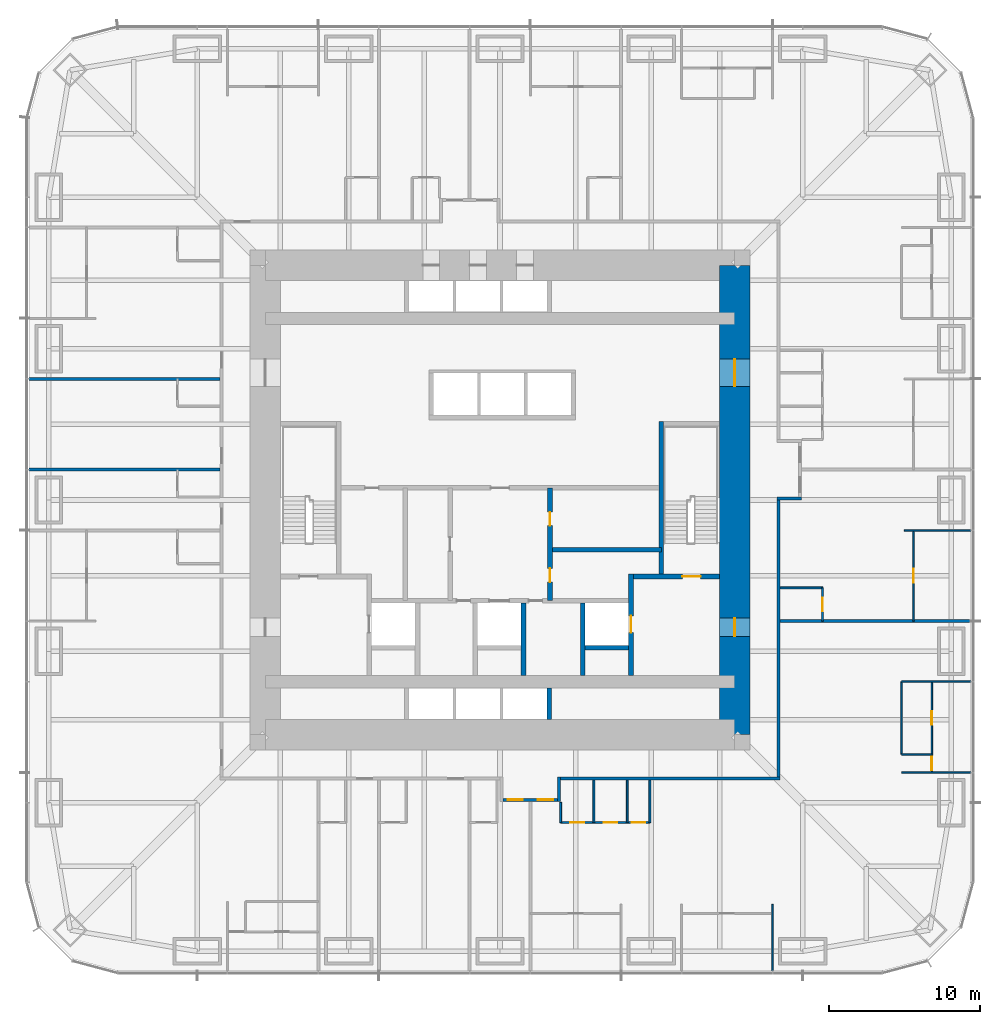
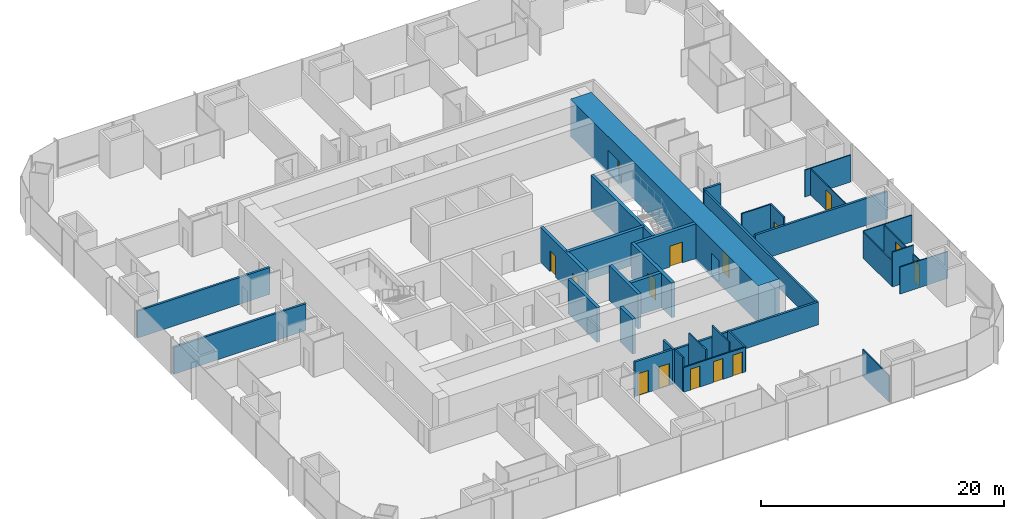
# One storey, part 13 of 16: 33 walls, 15 doors, 15 openings.
"""IFC4 building model written with IfcOpenShell, lengths in metres."""

from ifc_helpers import new_model, si_unit, direction, frame, frame_2d, origin, place, context, subcontext, project, spatial, rectangle, extrude, material, layer, layer_set, type_object, element, fill, save


model = new_model("IFC4")

# Units and contexts
model_context = context("Model", 3, precision=1e-05, world=origin(), true_north=direction((0.0, 1.0)))
body_context = subcontext(model_context, "Body", "Model", "MODEL_VIEW")
ifc_project = project(units=[si_unit("LENGTHUNIT", "METRE"), si_unit("AREAUNIT", "SQUARE_METRE"), si_unit("VOLUMEUNIT", "CUBIC_METRE"), si_unit("PLANEANGLEUNIT", "RADIAN"), si_unit("MASSUNIT", "GRAM", prefix="KILO")], contexts=[model_context])

# Site, building, storey
site_placement = place(None, origin())
site = spatial("IfcSite", under=ifc_project, at=site_placement, CompositionType="ELEMENT")
building_placement = place(site_placement, origin())
building = spatial("IfcBuilding", under=site, at=building_placement, Name="Khuree Lantern Residences", CompositionType="ELEMENT")
storey_placement = place(building_placement, frame((0.0, 0.0, 69.75)))
storey = spatial("IfcBuildingStorey", under=building, at=storey_placement, Name="L17", CompositionType="ELEMENT", Elevation=69.75)

# Wall, opening, door
ifc_material_1 = material(Name="Moisture-resistant gypsum board on steel studs", Category="steel")
ifc_layer_1 = layer(ifc_material_1, 0.125)
ifc_layer_set_1 = layer_set([ifc_layer_1], Name="BATHROOM WALL BTW125")
wall_type_1 = type_object("IfcWallType", Name="BATHROOM WALL BTW125", PredefinedType="PARTITIONING", material=ifc_layer_set_1)
wall_1_placement = place(storey_placement, frame((21.300048828125, -8.0, 0.0), z_axis=(0.0, 0.0, 1.0), x_axis=(0.0, 1.0, 0.0)))
wall_1 = element("IfcWall", 1, at=wall_1_placement, inside=storey, type_object=wall_type_1, Name="L17 BATHROOM WALL 01", PredefinedType="PARTITIONING", context=body_context, shape_type="SweptSolid", body=[
    extrude(rectangle(XDim=2.199951171875, YDim=0.125, at=frame_2d((1.10009765625, 0.0))), origin(), (0.0, 0.0, 1.0), 3.5),
])
opening_1_placement = place(wall_1_placement, frame((0.64990234375, 0.0, 0.0)))
opening_1 = element("IfcOpeningElement", 2, at=opening_1_placement, cuts=wall_1, Name="Opening 17-021", PredefinedType="OPENING", context=body_context, shape_type="SweptSolid", body=[
    extrude(rectangle(XDim=0.89990234375, YDim=2.10009765625, at=frame_2d((0.449951171875, 1.050048828125))), frame((0.0, 0.072509765625, 0.0), z_axis=(0.0, -1.0, 0.0), x_axis=(1.0, 0.0, 0.0)), (0.0, 0.0, 1.0), 0.14501953125),
])
ifc_material_2 = material(Name="Timber door leaf in hardwood frame", Category="wood")
door_type_1 = type_object("IfcDoorType", Name="BATHROOM DOOR 900X2100", OperationType="SINGLE_SWING_LEFT", PredefinedType="DOOR", material=ifc_material_2)
door_1_placement = place(opening_1_placement, origin())
door_1 = element("IfcDoor", 3, at=door_1_placement, inside=storey, type_object=door_type_1, Name="Bathroom door 17-021", OperationType="SINGLE_SWING_LEFT", OverallHeight=2.10009765625, OverallWidth=0.89990234375, PredefinedType="DOOR", context=body_context, shape_type="SweptSolid", body=[
    extrude(rectangle(XDim=0.89990234375, YDim=2.10009765625, at=frame_2d((0.449951171875, 1.050048828125))), frame((0.0, 0.02490234375, 0.0), z_axis=(0.0, -1.0, 0.0), x_axis=(1.0, 0.0, 0.0)), (0.0, 0.0, 1.0), 0.050048828125),
])
fill(opening_1, door_1)

# Wall
wall_2_placement = place(storey_placement, frame((18.5, -5.800048828125, 0.0), z_axis=(0.0, 0.0, 1.0), x_axis=(1.0, 0.0, 0.0)))
element("IfcWall", 4, at=wall_2_placement, inside=storey, type_object=wall_type_1, Name="L17 BATHROOM WALL 01", PredefinedType="PARTITIONING", context=body_context, shape_type="SweptSolid", body=[
    extrude(rectangle(XDim=2.800048828125, YDim=0.125, at=frame_2d((1.39990234375, 0.0))), origin(), (0.0, 0.0, 1.0), 3.5),
])

# Wall, openings, doors
wall_3_placement = place(storey_placement, frame((4.0, -21.300048828125, 0.0), z_axis=(0.0, 0.0, 1.0), x_axis=(1.0, 0.0, 0.0)))
wall_3 = element("IfcWall", 5, at=wall_3_placement, inside=storey, type_object=wall_type_1, Name="L17 BATHROOM WALL 13", PredefinedType="PARTITIONING", context=body_context, shape_type="SweptSolid", body=[
    extrude(rectangle(XDim=5.89990234375, YDim=0.125, at=frame_2d((2.949951171875, 0.0))), origin(), (0.0, 0.0, 1.0), 2.491943359375),
])
opening_2_placement = place(wall_3_placement, frame((0.64990234375, 0.0, 0.0)))
opening_2 = element("IfcOpeningElement", 6, at=opening_2_placement, cuts=wall_3, Name="Opening 17-062", PredefinedType="OPENING", context=body_context, shape_type="SweptSolid", body=[
    extrude(rectangle(XDim=0.89990234375, YDim=2.10009765625, at=frame_2d((0.449951171875, 1.050048828125))), frame((0.0, 0.072509765625, 0.0), z_axis=(0.0, -1.0, 0.0), x_axis=(1.0, 0.0, 0.0)), (0.0, 0.0, 1.0), 0.14501953125),
])
opening_3_placement = place(wall_3_placement, frame((2.85009765625, 0.0, 0.0)))
opening_3 = element("IfcOpeningElement", 7, at=opening_3_placement, cuts=wall_3, Name="Opening 17-063", PredefinedType="OPENING", context=body_context, shape_type="SweptSolid", body=[
    extrude(rectangle(XDim=0.89990234375, YDim=2.10009765625, at=frame_2d((0.449951171875, 1.050048828125))), frame((0.0, 0.072509765625, 0.0), z_axis=(0.0, -1.0, 0.0), x_axis=(1.0, 0.0, 0.0)), (0.0, 0.0, 1.0), 0.14501953125),
])
opening_4_placement = place(wall_3_placement, frame((4.699951171875, 0.0, 0.0)))
opening_4 = element("IfcOpeningElement", 8, at=opening_4_placement, cuts=wall_3, Name="Opening 17-064", PredefinedType="OPENING", context=body_context, shape_type="SweptSolid", body=[
    extrude(rectangle(XDim=0.89990234375, YDim=2.10009765625, at=frame_2d((0.449951171875, 1.050048828125))), frame((0.0, 0.072509765625, 0.0), z_axis=(0.0, -1.0, 0.0), x_axis=(1.0, 0.0, 0.0)), (0.0, 0.0, 1.0), 0.14501953125),
])
door_2_placement = place(opening_2_placement, origin())
door_2 = element("IfcDoor", 9, at=door_2_placement, inside=storey, type_object=door_type_1, Name="Bathroom door 17-062", OperationType="SINGLE_SWING_LEFT", OverallHeight=2.10009765625, OverallWidth=0.89990234375, PredefinedType="DOOR", context=body_context, shape_type="SweptSolid", body=[
    extrude(rectangle(XDim=0.89990234375, YDim=2.10009765625, at=frame_2d((0.449951171875, 1.050048828125))), frame((0.0, 0.02490234375, 0.0), z_axis=(0.0, -1.0, 0.0), x_axis=(1.0, 0.0, 0.0)), (0.0, 0.0, 1.0), 0.050048828125),
])
fill(opening_2, door_2)
door_3_placement = place(opening_3_placement, origin())
door_3 = element("IfcDoor", 10, at=door_3_placement, inside=storey, type_object=door_type_1, Name="Bathroom door 17-063", OperationType="SINGLE_SWING_LEFT", OverallHeight=2.10009765625, OverallWidth=0.89990234375, PredefinedType="DOOR", context=body_context, shape_type="SweptSolid", body=[
    extrude(rectangle(XDim=0.89990234375, YDim=2.10009765625, at=frame_2d((0.449951171875, 1.050048828125))), frame((0.0, 0.02490234375, 0.0), z_axis=(0.0, -1.0, 0.0), x_axis=(1.0, 0.0, 0.0)), (0.0, 0.0, 1.0), 0.050048828125),
])
fill(opening_3, door_3)
door_type_2 = type_object("IfcDoorType", Name="WC DOOR 900X2100", OperationType="SINGLE_SWING_LEFT", PredefinedType="DOOR", material=ifc_material_2)
door_4_placement = place(opening_4_placement, origin())
door_4 = element("IfcDoor", 11, at=door_4_placement, inside=storey, type_object=door_type_2, Name="WC door 17-064", OperationType="SINGLE_SWING_LEFT", OverallHeight=2.10009765625, OverallWidth=0.89990234375, PredefinedType="DOOR", context=body_context, shape_type="SweptSolid", body=[
    extrude(rectangle(XDim=0.89990234375, YDim=2.10009765625, at=frame_2d((0.449951171875, 1.050048828125))), frame((0.0, 0.02490234375, 0.0), z_axis=(0.0, -1.0, 0.0), x_axis=(1.0, 0.0, 0.0)), (0.0, 0.0, 1.0), 0.050048828125),
])
fill(opening_4, door_4)

# Walls
wall_4_placement = place(storey_placement, frame((4.0, -19.969970703125, 0.0), z_axis=(0.0, 0.0, 1.0), x_axis=(0.0, -1.0, 0.0)))
element("IfcWall", 12, at=wall_4_placement, inside=storey, type_object=wall_type_1, Name="L17 BATHROOM WALL 13", PredefinedType="PARTITIONING", context=body_context, shape_type="SweptSolid", body=[
    extrude(rectangle(XDim=1.330078125, YDim=0.125, at=frame_2d((0.6650390625, 0.0))), origin(), (0.0, 0.0, 1.0), 3.5),
])
for number, where, z_axis, x_axis, name in (
    (13, (6.199951171875, -18.5, 0.0), (0.0, 0.0, 1.0), (0.0, -1.0, 0.0), "L17 BATHROOM WALL 13"),
    (14, (8.39990234375, -18.5, 0.0), (0.0, 0.0, 1.0), (0.0, -1.0, 0.0), "L17 BATHROOM WALL 13"),
):
    element("IfcWall", number, at=place(storey_placement, frame(where, z_axis=z_axis, x_axis=x_axis)), inside=storey, type_object=wall_type_1, Name=name, PredefinedType="PARTITIONING", context=body_context, shape_type="SweptSolid", body=[
        extrude(rectangle(XDim=2.800048828125, YDim=0.125, at=frame_2d((1.39990234375, 0.0))), origin(), (0.0, 0.0, 1.0), 3.5),
    ])
wall_5_placement = place(storey_placement, frame((9.89990234375, -18.5, 0.0), z_axis=(0.0, 0.0, 1.0), x_axis=(0.0, -1.0, 0.0)))
element("IfcWall", 15, at=wall_5_placement, inside=storey, type_object=wall_type_1, Name="L17 BATHROOM WALL 13", PredefinedType="PARTITIONING", context=body_context, shape_type="SweptSolid", body=[
    extrude(rectangle(XDim=2.800048828125, YDim=0.125, at=frame_2d((1.39990234375, 0.0))), origin(), (0.0, 0.0, 1.0), 2.491943359375),
])

# Wall, opening, door
ifc_material_3 = material(Name="Dense concrete blockwork", Category="masonry")
ifc_layer_2 = layer(ifc_material_3, 0.300048828125)
ifc_layer_set_2 = layer_set([ifc_layer_2], Name="CORE PARTITION WALL CPW300 EI 120")
wall_type_2 = type_object("IfcWallType", Name="CORE PARTITION WALL CPW300 EI 120", PredefinedType="PARTITIONING", material=ifc_layer_set_2)
wall_6_placement = place(storey_placement, frame((8.64990234375, -11.60009765625, 0.0), z_axis=(0.0, 0.0, 1.0), x_axis=(0.0, 1.0, 0.0)))
wall_6 = element("IfcWall", 16, at=wall_6_placement, inside=storey, type_object=wall_type_2, Name="L17 CORE WALL FL2E", PredefinedType="PARTITIONING", context=body_context, shape_type="SweptSolid", body=[
    extrude(rectangle(XDim=6.7001953125, YDim=0.300048828125, at=frame_2d((3.35009765625, 0.0))), origin(), (0.0, 0.0, 1.0), 3.5),
])
opening_5_placement = place(wall_6_placement, frame((2.85009765625, 0.0, 0.0)))
opening_5 = element("IfcOpeningElement", 17, at=opening_5_placement, cuts=wall_6, Name="Opening 17-008", PredefinedType="OPENING", context=body_context, shape_type="SweptSolid", body=[
    extrude(rectangle(XDim=1.10009765625, YDim=2.10009765625, at=frame_2d((0.550048828125, 1.050048828125))), frame((0.0, 0.16015625, 0.0), z_axis=(0.0, -1.0, 0.0), x_axis=(1.0, 0.0, 0.0)), (0.0, 0.0, 1.0), 0.320068359375),
])
ifc_material_4 = material(Name="Stainless steel lift landing door", Category="steel")
door_type_3 = type_object("IfcDoorType", Name="LIFT LANDING DOOR 1100X2100 E 120", OperationType="DOUBLE_DOOR_SLIDING", PredefinedType="DOOR", material=ifc_material_4)
door_5_placement = place(opening_5_placement, origin())
door_5 = element("IfcDoor", 18, at=door_5_placement, inside=storey, type_object=door_type_3, Name="Landing door FL2 17-008", OperationType="DOUBLE_DOOR_SLIDING", OverallHeight=2.10009765625, OverallWidth=1.10009765625, PredefinedType="DOOR", context=body_context, shape_type="SweptSolid", body=[
    extrude(rectangle(XDim=1.10009765625, YDim=2.10009765625, at=frame_2d((0.550048828125, 1.050048828125))), frame((0.0, 0.02490234375, 0.0), z_axis=(0.0, -1.0, 0.0), x_axis=(1.0, 0.0, 0.0)), (0.0, 0.0, 1.0), 0.050048828125),
])
fill(opening_5, door_5)

# Walls
for number, where, z_axis, x_axis, name in (
    (19, (1.550048828125, -11.60009765625, 0.0), (0.0, 0.0, 1.0), (0.0, 1.0, 0.0), "L17 CORE WALL SL1E"),
    (20, (5.449951171875, -11.60009765625, 0.0), (0.0, 0.0, 1.0), (0.0, 1.0, 0.0), "L17 CORE WALL FL2W"),
):
    element("IfcWall", number, at=place(storey_placement, frame(where, z_axis=z_axis, x_axis=x_axis)), inside=storey, type_object=wall_type_2, Name=name, PredefinedType="PARTITIONING", context=body_context, shape_type="SweptSolid", body=[
        extrude(rectangle(XDim=4.800048828125, YDim=0.300048828125, at=frame_2d((2.39990234375, 0.0))), origin(), (0.0, 0.0, 1.0), 3.5),
    ])
wall_7_placement = place(storey_placement, frame((5.60009765625, -9.75, 0.0), z_axis=(0.0, 0.0, 1.0), x_axis=(1.0, 0.0, 0.0)))
element("IfcWall", 21, at=wall_7_placement, inside=storey, type_object=wall_type_2, Name="L17 CORE WALL FL2S", PredefinedType="PARTITIONING", context=body_context, shape_type="SweptSolid", body=[
    extrude(rectangle(XDim=2.89990234375, YDim=0.300048828125, at=frame_2d((1.449951171875, 0.0))), origin(), (0.0, 0.0, 1.0), 3.5),
])
wall_8_placement = place(storey_placement, frame((3.25, -14.5, 0.0), z_axis=(0.0, 0.0, 1.0), x_axis=(0.0, 1.0, 0.0)))
element("IfcWall", 22, at=wall_8_placement, inside=storey, type_object=wall_type_2, Name="L17 CORE WALL PME", PredefinedType="PARTITIONING", context=body_context, shape_type="SweptSolid", body=[
    extrude(rectangle(XDim=2.10009765625, YDim=0.300048828125, at=frame_2d((1.050048828125, 0.0))), origin(), (0.0, 0.0, 1.0), 3.5),
])

# Wall, openings, doors
wall_9_placement = place(storey_placement, frame((3.300048828125, -6.64990234375, 0.0), z_axis=(0.0, 0.0, 1.0), x_axis=(0.0, 1.0, 0.0)))
wall_9 = element("IfcWall", 23, at=wall_9_placement, inside=storey, type_object=wall_type_2, Name="L17 CORE WALL SVE", PredefinedType="PARTITIONING", context=body_context, shape_type="SweptSolid", body=[
    extrude(rectangle(XDim=7.449951171875, YDim=0.300048828125, at=frame_2d((3.72509765625, 0.0))), origin(), (0.0, 0.0, 1.0), 3.5),
])
opening_6_placement = place(wall_9_placement, frame((1.23095703125, 0.0, 0.0)))
opening_6 = element("IfcOpeningElement", 24, at=opening_6_placement, cuts=wall_9, Name="Opening 17-018", PredefinedType="OPENING", context=body_context, shape_type="SweptSolid", body=[
    extrude(rectangle(XDim=0.89990234375, YDim=2.10009765625, at=frame_2d((0.449951171875, 1.050048828125))), frame((0.0, 0.16015625, 0.0), z_axis=(0.0, -1.0, 0.0), x_axis=(1.0, 0.0, 0.0)), (0.0, 0.0, 1.0), 0.320068359375),
])
opening_7_placement = place(wall_9_placement, frame((4.9560546875, 0.0, 0.0)))
opening_7 = element("IfcOpeningElement", 25, at=opening_7_placement, cuts=wall_9, Name="Opening 17-019", PredefinedType="OPENING", context=body_context, shape_type="SweptSolid", body=[
    extrude(rectangle(XDim=0.89990234375, YDim=2.10009765625, at=frame_2d((0.449951171875, 1.050048828125))), frame((0.0, 0.16015625, 0.0), z_axis=(0.0, -1.0, 0.0), x_axis=(1.0, 0.0, 0.0)), (0.0, 0.0, 1.0), 0.320068359375),
])
door_type_4 = type_object("IfcDoorType", Name="DOOR 900X2100", OperationType="SINGLE_SWING_LEFT", PredefinedType="DOOR", material=ifc_material_2)
door_6_placement = place(opening_6_placement, origin())
door_6 = element("IfcDoor", 26, at=door_6_placement, inside=storey, type_object=door_type_4, Name="Bulky waste store door 17-018", OperationType="SINGLE_SWING_LEFT", OverallHeight=2.10009765625, OverallWidth=0.89990234375, PredefinedType="DOOR", context=body_context, shape_type="SweptSolid", body=[
    extrude(rectangle(XDim=0.89990234375, YDim=2.10009765625, at=frame_2d((0.449951171875, 1.050048828125))), frame((0.0, 0.02490234375, 0.0), z_axis=(0.0, -1.0, 0.0), x_axis=(1.0, 0.0, 0.0)), (0.0, 0.0, 1.0), 0.050048828125),
])
fill(opening_6, door_6)
door_type_5 = type_object("IfcDoorType", Name="DOOR 900X2100 RIGHT HAND", OperationType="SINGLE_SWING_RIGHT", PredefinedType="DOOR", material=ifc_material_2)
door_7_placement = place(opening_7_placement, origin())
door_7 = element("IfcDoor", 27, at=door_7_placement, inside=storey, type_object=door_type_5, Name="Residents' store door 17-019", OperationType="SINGLE_SWING_RIGHT", OverallHeight=2.10009765625, OverallWidth=0.89990234375, PredefinedType="DOOR", context=body_context, shape_type="SweptSolid", body=[
    extrude(rectangle(XDim=0.89990234375, YDim=2.10009765625, at=frame_2d((0.449951171875, 1.050048828125))), frame((0.0, 0.02490234375, 0.0), z_axis=(0.0, -1.0, 0.0), x_axis=(1.0, 0.0, 0.0)), (0.0, 0.0, 1.0), 0.050048828125),
])
fill(opening_7, door_7)

# Walls
wall_10_placement = place(storey_placement, frame((10.64990234375, -3.2880859375, 0.0), z_axis=(0.0, 0.0, 1.0), x_axis=(-1.0, 0.0, 0.0)))
element("IfcWall", 28, at=wall_10_placement, inside=storey, type_object=wall_type_2, Name="L17 CORE WALL EX", PredefinedType="PARTITIONING", context=body_context, shape_type="SweptSolid", body=[
    extrude(rectangle(XDim=7.349853515625, YDim=0.300048828125, at=frame_2d((3.6748046875, 0.0))), origin(), (0.0, 0.0, 1.0), 3.5),
])
ifc_material_5 = material(Name="Gypsum board on steel studs", Category="steel")
ifc_layer_3 = layer(ifc_material_5, 0.199951171875)
ifc_layer_set_3 = layer_set([ifc_layer_3], Name="CORRIDOR WALL CRW200 EI 60")
wall_type_3 = type_object("IfcWallType", Name="CORRIDOR WALL CRW200 EI 60", PredefinedType="PARTITIONING", material=ifc_layer_set_3)
wall_11_placement = place(storey_placement, frame((18.39990234375, -18.300048828125, 0.0), z_axis=(0.0, 0.0, 1.0), x_axis=(0.0, 1.0, 0.0)))
element("IfcWall", 29, at=wall_11_placement, inside=storey, type_object=wall_type_3, Name="L17 CORRIDOR WALL EAST 1", PredefinedType="PARTITIONING", context=body_context, shape_type="SweptSolid", body=[
    extrude(rectangle(XDim=18.300048828125, YDim=0.199951171875, at=frame_2d((9.14990234375, 0.0))), origin(), (0.0, 0.0, 1.0), 2.300048828125),
])
wall_12_placement = place(storey_placement, frame((18.300048828125, 0.10009765625, 0.0), z_axis=(0.0, 0.0, 1.0), x_axis=(1.0, 0.0, 0.0)))
element("IfcWall", 30, at=wall_12_placement, inside=storey, type_object=wall_type_3, Name="L17 CORRIDOR ALCOVE WALL EAST", PredefinedType="PARTITIONING", context=body_context, shape_type="SweptSolid", body=[
    extrude(rectangle(XDim=1.599853515625, YDim=0.199951171875, at=frame_2d((0.7998046875, 0.0))), origin(), (0.0, 0.0, 1.0), 2.491943359375),
])
wall_13_placement = place(storey_placement, frame((18.5, -18.39990234375, 0.0), z_axis=(0.0, 0.0, 1.0), x_axis=(-1.0, 0.0, 0.0)))
element("IfcWall", 31, at=wall_13_placement, inside=storey, type_object=wall_type_3, Name="L17 CORRIDOR WALL SOUTH 1", PredefinedType="PARTITIONING", context=body_context, shape_type="SweptSolid", body=[
    extrude(rectangle(XDim=14.5, YDim=0.199951171875, at=frame_2d((7.25, 0.0))), origin(), (0.0, 0.0, 1.0), 2.300048828125),
])
wall_14_placement = place(storey_placement, frame((3.89990234375, -18.300048828125, 0.0), z_axis=(0.0, 0.0, 1.0), x_axis=(0.0, -1.0, 0.0)))
element("IfcWall", 32, at=wall_14_placement, inside=storey, type_object=wall_type_3, Name="L17 CORRIDOR ALCOVE WALL SOUTH", PredefinedType="PARTITIONING", context=body_context, shape_type="SweptSolid", body=[
    extrude(rectangle(XDim=1.599853515625, YDim=0.199951171875, at=frame_2d((0.7998046875, 0.0))), origin(), (0.0, 0.0, 1.0), 3.5),
])

# Wall, openings, doors
wall_15_placement = place(storey_placement, frame((3.800048828125, -19.800048828125, 0.0), z_axis=(0.0, 0.0, 1.0), x_axis=(-1.0, 0.0, 0.0)))
wall_15 = element("IfcWall", 33, at=wall_15_placement, inside=storey, type_object=wall_type_3, Name="L17 CORRIDOR ALCOVE WALL SOUTH", PredefinedType="PARTITIONING", context=body_context, shape_type="SweptSolid", body=[
    extrude(rectangle(XDim=3.60009765625, YDim=0.199951171875, at=frame_2d((1.800048828125, 0.0))), origin(), (0.0, 0.0, 1.0), 3.5),
])
opening_8_placement = place(wall_15_placement, frame((2.300048828125, 0.0, 0.0)))
opening_8 = element("IfcOpeningElement", 34, at=opening_8_placement, cuts=wall_15, Name="Opening 17-057", PredefinedType="OPENING", context=body_context, shape_type="SweptSolid", body=[
    extrude(rectangle(XDim=1.0, YDim=2.199951171875, at=frame_2d((0.5, 1.10009765625))), frame((0.0, 0.10986328125, 0.0), z_axis=(0.0, -1.0, 0.0), x_axis=(1.0, 0.0, 0.0)), (0.0, 0.0, 1.0), 0.219970703125),
])
opening_9_placement = place(wall_15_placement, frame((0.300048828125, 0.0, 0.0)))
opening_9 = element("IfcOpeningElement", 35, at=opening_9_placement, cuts=wall_15, Name="Opening 17-065", PredefinedType="OPENING", context=body_context, shape_type="SweptSolid", body=[
    extrude(rectangle(XDim=1.0, YDim=2.199951171875, at=frame_2d((0.5, 1.10009765625))), frame((0.0, 0.10986328125, 0.0), z_axis=(0.0, -1.0, 0.0), x_axis=(1.0, 0.0, 0.0)), (0.0, 0.0, 1.0), 0.219970703125),
])
door_type_6 = type_object("IfcDoorType", Name="APARTMENT ENTRANCE DOOR 1000X2200 EI 30S", OperationType="SINGLE_SWING_LEFT", PredefinedType="DOOR", material=ifc_material_2)
door_8_placement = place(opening_8_placement, origin())
door_8 = element("IfcDoor", 36, at=door_8_placement, inside=storey, type_object=door_type_6, Name="Apartment 12 entrance door 17-057", OperationType="SINGLE_SWING_LEFT", OverallHeight=2.199951171875, OverallWidth=1.0, PredefinedType="DOOR", context=body_context, shape_type="SweptSolid", body=[
    extrude(rectangle(XDim=1.0, YDim=2.199951171875, at=frame_2d((0.5, 1.10009765625))), frame((0.0, 0.02490234375, 0.0), z_axis=(0.0, -1.0, 0.0), x_axis=(1.0, 0.0, 0.0)), (0.0, 0.0, 1.0), 0.050048828125),
])
fill(opening_8, door_8)
door_9_placement = place(opening_9_placement, origin())
door_9 = element("IfcDoor", 37, at=door_9_placement, inside=storey, type_object=door_type_6, Name="Apartment 13 entrance door 17-065", OperationType="SINGLE_SWING_LEFT", OverallHeight=2.199951171875, OverallWidth=1.0, PredefinedType="DOOR", context=body_context, shape_type="SweptSolid", body=[
    extrude(rectangle(XDim=1.0, YDim=2.199951171875, at=frame_2d((0.5, 1.10009765625))), frame((0.0, 0.02490234375, 0.0), z_axis=(0.0, -1.0, 0.0), x_axis=(1.0, 0.0, 0.0)), (0.0, 0.0, 1.0), 0.050048828125),
])
fill(opening_9, door_9)

ifc_material_6 = material(Name="Concrete C70/85", Category="concrete")
ifc_layer_4 = layer(ifc_material_6, 2.0)
ifc_layer_set_4 = layer_set([ifc_layer_4], Name="CW2000-C70 CORE WALL C70 2000")
wall_type_4 = type_object("IfcWallType", Name="CW2000-C70 CORE WALL C70 2000", PredefinedType="SHEAR", material=ifc_layer_set_4)
wall_16_placement = place(storey_placement, frame((15.5, -15.5, -0.25), z_axis=(0.0, 0.0, 1.0), x_axis=(0.0, 1.0, 0.0)))
wall_16 = element("IfcWall", 38, at=wall_16_placement, inside=storey, type_object=wall_type_4, Name="Core wall E", PredefinedType="SHEAR", context=body_context, shape_type="SweptSolid", body=[
    extrude(rectangle(XDim=31.0, YDim=2.0, at=frame_2d((15.5, 0.0))), origin(), (0.0, 0.0, 1.0), 3.75),
])
opening_10_placement = place(wall_16_placement, frame((6.5, 0.0, 0.25)))
opening_10 = element("IfcOpeningElement", 39, at=opening_10_placement, cuts=wall_16, Name="Opening 17-005", PredefinedType="OPENING", context=body_context, shape_type="SweptSolid", body=[
    extrude(rectangle(XDim=1.199951171875, YDim=2.10009765625, at=frame_2d((0.60009765625, 1.050048828125))), frame((0.0, 1.010009765625, 0.0), z_axis=(0.0, -1.0, 0.0), x_axis=(1.0, 0.0, 0.0)), (0.0, 0.0, 1.0), 2.02001953125),
])
opening_11_placement = place(wall_16_placement, frame((23.0, 0.0, 0.25)))
opening_11 = element("IfcOpeningElement", 40, at=opening_11_placement, cuts=wall_16, Name="Opening 17-006", PredefinedType="OPENING", context=body_context, shape_type="SweptSolid", body=[
    extrude(rectangle(XDim=1.800048828125, YDim=2.10009765625, at=frame_2d((0.89990234375, 1.050048828125))), frame((0.0, 1.010009765625, 0.0), z_axis=(0.0, -1.0, 0.0), x_axis=(1.0, 0.0, 0.0)), (0.0, 0.0, 1.0), 2.02001953125),
])
ifc_material_7 = material(Name="Steel door leaf in steel frame", Category="steel")
door_type_7 = type_object("IfcDoorType", Name="LOBBY DOOR 1200X2100 EI 120", OperationType="SINGLE_SWING_LEFT", PredefinedType="DOOR", material=ifc_material_7)
door_10_placement = place(opening_10_placement, origin())
door_10 = element("IfcDoor", 41, at=door_10_placement, inside=storey, type_object=door_type_7, Name="Firefighting lobby door 17-005", OperationType="SINGLE_SWING_LEFT", OverallHeight=2.10009765625, OverallWidth=1.199951171875, PredefinedType="DOOR", context=body_context, shape_type="SweptSolid", body=[
    extrude(rectangle(XDim=1.199951171875, YDim=2.10009765625, at=frame_2d((0.60009765625, 1.050048828125))), frame((0.0, 0.02490234375, 0.0), z_axis=(0.0, -1.0, 0.0), x_axis=(1.0, 0.0, 0.0)), (0.0, 0.0, 1.0), 0.050048828125),
])
fill(opening_10, door_10)
door_type_8 = type_object("IfcDoorType", Name="LOBBY DOUBLE DOOR 1800X2100 EI 60", OperationType="DOUBLE_DOOR_SINGLE_SWING", PredefinedType="DOOR", material=ifc_material_7)
door_11_placement = place(opening_11_placement, origin())
door_11 = element("IfcDoor", 42, at=door_11_placement, inside=storey, type_object=door_type_8, Name="Lift lobby door 17-006", OperationType="DOUBLE_DOOR_SINGLE_SWING", OverallHeight=2.10009765625, OverallWidth=1.800048828125, PredefinedType="DOOR", context=body_context, shape_type="SweptSolid", body=[
    extrude(rectangle(XDim=1.800048828125, YDim=2.10009765625, at=frame_2d((0.89990234375, 1.050048828125))), frame((0.0, 0.02490234375, 0.0), z_axis=(0.0, -1.0, 0.0), x_axis=(1.0, 0.0, 0.0)), (0.0, 0.0, 1.0), 0.050048828125),
])
fill(opening_11, door_11)

# Walls
ifc_layer_5 = layer(ifc_material_5, 0.199951171875)
ifc_layer_set_5 = layer_set([ifc_layer_5], Name="DEMISING WALL DMW200 EI 90")
wall_type_5 = type_object("IfcWallType", Name="DEMISING WALL DMW200 EI 90", PredefinedType="PARTITIONING", material=ifc_layer_set_5)
for number, where, z_axis, x_axis, name in (
    (43, (18.5, -8.0, 0.0), (0.0, 0.0, 1.0), (1.0, 0.0, 0.0), "L17 DEMISING WALL 01"),
    (44, (-18.5, 8.0, 0.0), (0.0, 0.0, 1.0), (-1.0, 0.0, 0.0), "L17 DEMISING WALL 07"),
    (45, (-18.5, 2.0, 0.0), (0.0, 0.0, 1.0), (-1.0, 0.0, 0.0), "L17 DEMISING WALL 08"),
):
    element("IfcWall", number, at=place(storey_placement, frame(where, z_axis=z_axis, x_axis=x_axis)), inside=storey, type_object=wall_type_5, Name=name, PredefinedType="PARTITIONING", context=body_context, shape_type="SweptSolid", body=[
        extrude(rectangle(XDim=12.60009765625, YDim=0.199951171875, at=frame_2d((6.300048828125, 0.0))), origin(), (0.0, 0.0, 1.0), 2.7099609375),
    ])
ifc_layer_6 = layer(ifc_material_5, 0.10009765625)
ifc_layer_set_6 = layer_set([ifc_layer_6], Name="PARTITION PT100")
wall_type_6 = type_object("IfcWallType", Name="PARTITION PT100", PredefinedType="PARTITIONING", material=ifc_layer_set_6)
for number, where, z_axis, x_axis, name in (
    (46, (26.699951171875, -2.0, 0.0), (0.0, 0.0, 1.0), (1.0, 0.0, 0.0), "L17 PARTITION 01"),
    (47, (18.0, -26.699951171875, 0.0), (0.0, 0.0, 1.0), (0.0, -1.0, 0.0), "L17 PARTITION 13"),
):
    element("IfcWall", number, at=place(storey_placement, frame(where, z_axis=z_axis, x_axis=x_axis)), inside=storey, type_object=wall_type_6, Name=name, PredefinedType="PARTITIONING", context=body_context, shape_type="SweptSolid", body=[
        extrude(rectangle(XDim=4.400146484375, YDim=0.10009765625, at=frame_2d((2.2001953125, 0.0))), origin(), (0.0, 0.0, 1.0), 2.7099609375),
    ])
for number, where, z_axis, x_axis, name in (
    (48, (26.5166015625, -18.0, 0.0), (0.0, 0.0, 1.0), (1.0, 0.0, 0.0), "L17 PARTITION 13"),
    (49, (26.5166015625, -12.0, 0.0), (0.0, 0.0, 1.0), (1.0, 0.0, 0.0), "L17 PARTITION 13"),
):
    element("IfcWall", number, at=place(storey_placement, frame(where, z_axis=z_axis, x_axis=x_axis)), inside=storey, type_object=wall_type_6, Name=name, PredefinedType="PARTITIONING", context=body_context, shape_type="SweptSolid", body=[
        extrude(rectangle(XDim=4.58349609375, YDim=0.10009765625, at=frame_2d((2.291748046875, 0.0))), origin(), (0.0, 0.0, 1.0), 2.7099609375),
    ])

# Wall, opening, door
wall_17_placement = place(storey_placement, frame((27.300048828125, -8.0, 0.0), z_axis=(0.0, 0.0, 1.0), x_axis=(0.0, 1.0, 0.0)))
wall_17 = element("IfcWall", 50, at=wall_17_placement, inside=storey, type_object=wall_type_6, Name="L17 PARTITION 01", PredefinedType="PARTITIONING", context=body_context, shape_type="SweptSolid", body=[
    extrude(rectangle(XDim=6.0, YDim=0.10009765625, at=frame_2d((3.0, 0.0))), origin(), (0.0, 0.0, 1.0), 2.610107421875),
])
opening_12_placement = place(wall_17_placement, frame((2.550048828125, 0.0, 0.0)))
opening_12 = element("IfcOpeningElement", 51, at=opening_12_placement, cuts=wall_17, Name="Opening 17-020", PredefinedType="OPENING", context=body_context, shape_type="SweptSolid", body=[
    extrude(rectangle(XDim=0.89990234375, YDim=2.10009765625, at=frame_2d((0.449951171875, 1.050048828125))), frame((0.0, 0.06005859375, 0.0), z_axis=(0.0, -1.0, 0.0), x_axis=(1.0, 0.0, 0.0)), (0.0, 0.0, 1.0), 0.1201171875),
])
door_type_9 = type_object("IfcDoorType", Name="BEDROOM DOOR 900X2100", OperationType="SINGLE_SWING_LEFT", PredefinedType="DOOR", material=ifc_material_2)
door_12_placement = place(opening_12_placement, origin())
door_12 = element("IfcDoor", 52, at=door_12_placement, inside=storey, type_object=door_type_9, Name="Bedroom door 17-020", OperationType="SINGLE_SWING_LEFT", OverallHeight=2.10009765625, OverallWidth=0.89990234375, PredefinedType="DOOR", context=body_context, shape_type="SweptSolid", body=[
    extrude(rectangle(XDim=0.89990234375, YDim=2.10009765625, at=frame_2d((0.449951171875, 1.050048828125))), frame((0.0, 0.02490234375, 0.0), z_axis=(0.0, -1.0, 0.0), x_axis=(1.0, 0.0, 0.0)), (0.0, 0.0, 1.0), 0.050048828125),
])
fill(opening_12, door_12)

# Wall, openings, doors
wall_18_placement = place(storey_placement, frame((28.5166015625, -18.0, 0.0), z_axis=(0.0, 0.0, 1.0), x_axis=(0.0, 1.0, 0.0)))
wall_18 = element("IfcWall", 53, at=wall_18_placement, inside=storey, type_object=wall_type_6, Name="L17 PARTITION 13", PredefinedType="PARTITIONING", context=body_context, shape_type="SweptSolid", body=[
    extrude(rectangle(XDim=6.0, YDim=0.10009765625, at=frame_2d((3.0, 0.0))), origin(), (0.0, 0.0, 1.0), 2.610107421875),
])
opening_13_placement = place(wall_18_placement, frame((0.14990234375, 0.0, 0.0)))
opening_13 = element("IfcOpeningElement", 54, at=opening_13_placement, cuts=wall_18, Name="Opening 17-060", PredefinedType="OPENING", context=body_context, shape_type="SweptSolid", body=[
    extrude(rectangle(XDim=0.89990234375, YDim=2.10009765625, at=frame_2d((0.449951171875, 1.050048828125))), frame((0.0, 0.06005859375, 0.0), z_axis=(0.0, -1.0, 0.0), x_axis=(1.0, 0.0, 0.0)), (0.0, 0.0, 1.0), 0.1201171875),
])
opening_14_placement = place(wall_18_placement, frame((3.14990234375, 0.0, 0.0)))
opening_14 = element("IfcOpeningElement", 55, at=opening_14_placement, cuts=wall_18, Name="Opening 17-061", PredefinedType="OPENING", context=body_context, shape_type="SweptSolid", body=[
    extrude(rectangle(XDim=0.89990234375, YDim=2.10009765625, at=frame_2d((0.449951171875, 1.050048828125))), frame((0.0, 0.06005859375, 0.0), z_axis=(0.0, -1.0, 0.0), x_axis=(1.0, 0.0, 0.0)), (0.0, 0.0, 1.0), 0.1201171875),
])
door_13_placement = place(opening_13_placement, origin())
door_13 = element("IfcDoor", 56, at=door_13_placement, inside=storey, type_object=door_type_9, Name="Bedroom door 17-060", OperationType="SINGLE_SWING_LEFT", OverallHeight=2.10009765625, OverallWidth=0.89990234375, PredefinedType="DOOR", context=body_context, shape_type="SweptSolid", body=[
    extrude(rectangle(XDim=0.89990234375, YDim=2.10009765625, at=frame_2d((0.449951171875, 1.050048828125))), frame((0.0, 0.02490234375, 0.0), z_axis=(0.0, -1.0, 0.0), x_axis=(1.0, 0.0, 0.0)), (0.0, 0.0, 1.0), 0.050048828125),
])
fill(opening_13, door_13)
door_14_placement = place(opening_14_placement, origin())
door_14 = element("IfcDoor", 57, at=door_14_placement, inside=storey, type_object=door_type_4, Name="Wardrobe door 17-061", OperationType="SINGLE_SWING_LEFT", OverallHeight=2.10009765625, OverallWidth=0.89990234375, PredefinedType="DOOR", context=body_context, shape_type="SweptSolid", body=[
    extrude(rectangle(XDim=0.89990234375, YDim=2.10009765625, at=frame_2d((0.449951171875, 1.050048828125))), frame((0.0, 0.02490234375, 0.0), z_axis=(0.0, -1.0, 0.0), x_axis=(1.0, 0.0, 0.0)), (0.0, 0.0, 1.0), 0.050048828125),
])
fill(opening_14, door_14)

# Walls
wall_19_placement = place(storey_placement, frame((26.5166015625, -16.800048828125, 0.0), z_axis=(0.0, 0.0, 1.0), x_axis=(1.0, 0.0, 0.0)))
element("IfcWall", 58, at=wall_19_placement, inside=storey, type_object=wall_type_6, Name="L17 PARTITION 13", PredefinedType="PARTITIONING", context=body_context, shape_type="SweptSolid", body=[
    extrude(rectangle(XDim=2.0, YDim=0.10009765625, at=frame_2d((1.0, 0.0))), origin(), (0.0, 0.0, 1.0), 3.5),
])
wall_20_placement = place(storey_placement, frame((26.5166015625, -16.800048828125, 0.0), z_axis=(0.0, 0.0, 1.0), x_axis=(0.0, 1.0, 0.0)))
element("IfcWall", 59, at=wall_20_placement, inside=storey, type_object=wall_type_6, Name="L17 PARTITION 13", PredefinedType="PARTITIONING", context=body_context, shape_type="SweptSolid", body=[
    extrude(rectangle(XDim=4.800048828125, YDim=0.10009765625, at=frame_2d((2.39990234375, 0.0))), origin(), (0.0, 0.0, 1.0), 2.610107421875),
])
ifc_material_8 = material(Name="Concrete C50/60", Category="concrete")
ifc_layer_7 = layer(ifc_material_8, 0.300048828125)
ifc_layer_set_7 = layer_set([ifc_layer_7], Name="STAIR WALL SRW300 C50/60 REI 240")
wall_type_7 = type_object("IfcWallType", Name="STAIR WALL SRW300 C50/60 REI 240", PredefinedType="SOLIDWALL", material=ifc_layer_set_7)
wall_21_placement = place(storey_placement, frame((10.64990234375, -4.89990234375, 0.0), z_axis=(0.0, 0.0, 1.0), x_axis=(0.0, 1.0, 0.0)))
element("IfcWall", 60, at=wall_21_placement, inside=storey, type_object=wall_type_7, Name="L17 STAIR WALL ST2E", PredefinedType="SOLIDWALL", context=body_context, shape_type="SweptSolid", body=[
    extrude(rectangle(XDim=10.099853515625, YDim=0.300048828125, at=frame_2d((5.0498046875, 0.0))), origin(), (0.0, 0.0, 1.0), 3.5),
])

# Wall, opening, door
wall_22_placement = place(storey_placement, frame((14.5, -5.050048828125, 0.0), z_axis=(0.0, 0.0, 1.0), x_axis=(-1.0, 0.0, 0.0)))
wall_22 = element("IfcWall", 61, at=wall_22_placement, inside=storey, type_object=wall_type_7, Name="L17 STAIR WALL ST2S", PredefinedType="SOLIDWALL", context=body_context, shape_type="SweptSolid", body=[
    extrude(rectangle(XDim=5.699951171875, YDim=0.300048828125, at=frame_2d((2.85009765625, 0.0))), origin(), (0.0, 0.0, 1.0), 3.5),
])
opening_15_placement = place(wall_22_placement, frame((1.25, 0.0, 0.0)))
opening_15 = element("IfcOpeningElement", 62, at=opening_15_placement, cuts=wall_22, Name="Opening 17-004", PredefinedType="OPENING", context=body_context, shape_type="SweptSolid", body=[
    extrude(rectangle(XDim=1.199951171875, YDim=2.10009765625, at=frame_2d((0.60009765625, 1.050048828125))), frame((0.0, 0.16015625, 0.0), z_axis=(0.0, -1.0, 0.0), x_axis=(1.0, 0.0, 0.0)), (0.0, 0.0, 1.0), 0.320068359375),
])
door_type_10 = type_object("IfcDoorType", Name="STAIR DOOR 1200X2100 EI 120", OperationType="SINGLE_SWING_LEFT", PredefinedType="DOOR", material=ifc_material_7)
door_15_placement = place(opening_15_placement, origin())
door_15 = element("IfcDoor", 63, at=door_15_placement, inside=storey, type_object=door_type_10, Name="Stair ST2 door 17-004", OperationType="SINGLE_SWING_LEFT", OverallHeight=2.10009765625, OverallWidth=1.199951171875, PredefinedType="DOOR", context=body_context, shape_type="SweptSolid", body=[
    extrude(rectangle(XDim=1.199951171875, YDim=2.10009765625, at=frame_2d((0.60009765625, 1.050048828125))), frame((0.0, 0.02490234375, 0.0), z_axis=(0.0, -1.0, 0.0), x_axis=(1.0, 0.0, 0.0)), (0.0, 0.0, 1.0), 0.050048828125),
])
fill(opening_15, door_15)

save(model, "model.ifc")
